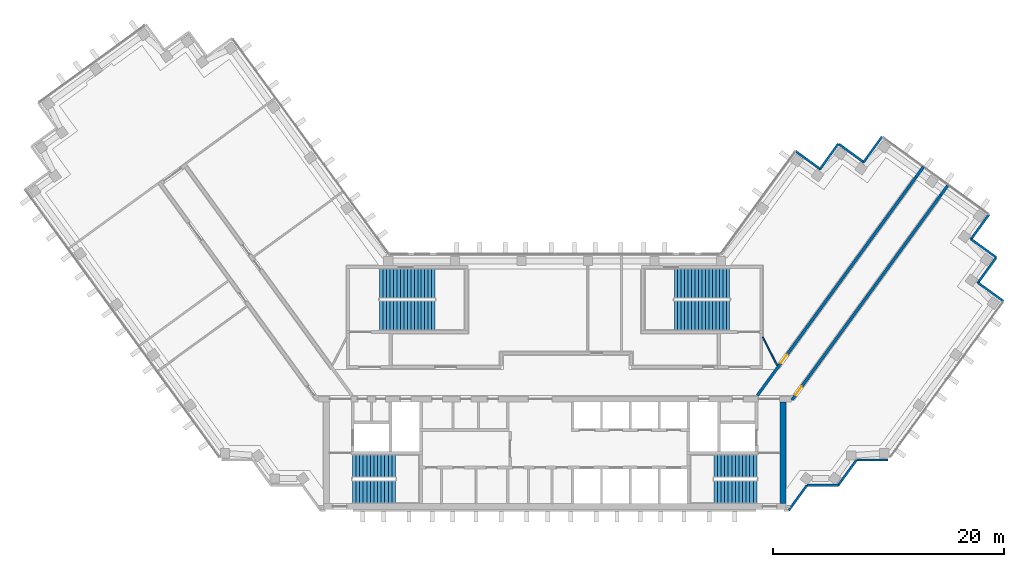
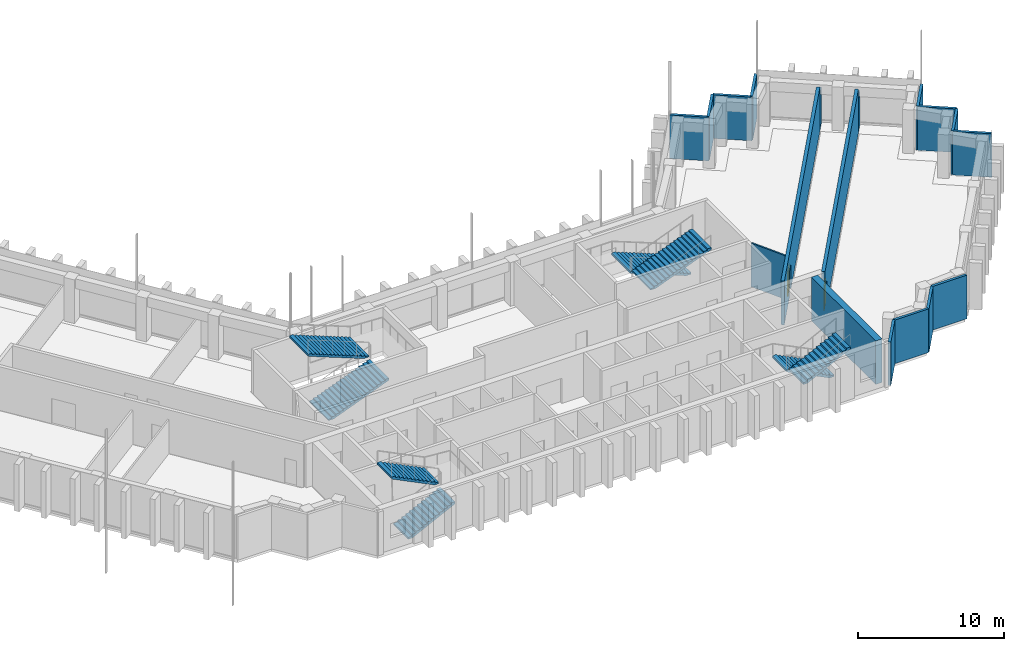
# One storey, part 10 of 12: 18 walls, 8 stair flights, 2 doors, 2 openings, 4 elements without a shape of their own.
"""IFC4 building model written with IfcOpenShell, lengths in metres."""

from ifc_helpers import new_model, si_unit, direction, frame, frame_2d, origin, place, context, subcontext, project, spatial, polyline, rectangle, outline, extrude, material, layer, layer_set, type_object, element, fill, aggregate, save


model = new_model("IFC4")

# Units and contexts
model_context = context("Model", 3, precision=1e-05, world=origin(), true_north=direction((0.0, 1.0)))
body_context = subcontext(model_context, "Body", "Model", "MODEL_VIEW")
ifc_project = project(units=[si_unit("LENGTHUNIT", "METRE"), si_unit("AREAUNIT", "SQUARE_METRE"), si_unit("VOLUMEUNIT", "CUBIC_METRE"), si_unit("PLANEANGLEUNIT", "RADIAN"), si_unit("MASSUNIT", "GRAM", prefix="KILO")], contexts=[model_context])

# Site, building, storey
site_placement = place(None, origin())
site = spatial("IfcSite", under=ifc_project, at=site_placement, CompositionType="ELEMENT")
building_placement = place(site_placement, origin())
building = spatial("IfcBuilding", under=site, at=building_placement, Name="Quipu Civic Tower", CompositionType="ELEMENT")
storey_placement = place(building_placement, frame((0.0, 0.0, 222.0)))
storey = spatial("IfcBuildingStorey", under=building, at=storey_placement, Name="L52", CompositionType="ELEMENT", Elevation=222.0)

# Wall
ifc_material_1 = material(Name="Concrete C70/85", Category="concrete")
ifc_layer_1 = layer(ifc_material_1, 0.5)
ifc_layer_set_1 = layer_set([ifc_layer_1], Name="Concrete C70/85")
wall_type_1 = type_object("IfcWallType", Name="Core wall 500", PredefinedType="SHEAR", material=ifc_layer_set_1)
wall_1_placement = place(storey_placement, frame((19.75, -10.5, 0.0), z_axis=(0.0, 0.0, 1.0), x_axis=(0.0, 1.0, 0.0)))
element("IfcWall", 1, at=wall_1_placement, inside=storey, type_object=wall_type_1, Name="Core wall", PredefinedType="SHEAR", context=body_context, shape_type="SweptSolid", body=[
    extrude(rectangle(XDim=8.800048828125, YDim=0.5, at=frame_2d((4.39990234375, 0.0))), origin(), (0.0, 0.0, 1.0), 3.64990234375),
])

# Wall, opening, door
ifc_material_2 = material(Name="Concrete C50/60", Category="concrete")
ifc_layer_2 = layer(ifc_material_2, 0.25)
ifc_layer_set_2 = layer_set([ifc_layer_2], Name="Concrete C50/60")
wall_type_2 = type_object("IfcWallType", Name="Corridor wall 250 concrete", PredefinedType="SOLIDWALL", material=ifc_layer_set_2)
wall_2_placement = place(storey_placement, frame((17.544921875, -1.124755859375, 0.0), z_axis=(0.0, 0.0, 1.0), x_axis=(0.587787966774, 0.809015022181, 0.0)))
wall_2 = element("IfcWall", 2, at=wall_2_placement, inside=storey, type_object=wall_type_2, Name="Corridor wall C02", PredefinedType="SOLIDWALL", context=body_context, shape_type="SweptSolid", body=[
    extrude(rectangle(XDim=23.344970703125, YDim=0.25, at=frame_2d((11.67236328125, 0.0))), origin(), (0.0, 0.0, 1.0), 3.64990234375),
])
opening_1_placement = place(wall_2_placement, frame((3.44140625, 0.0, 0.0)))
opening_1 = element("IfcOpeningElement", 3, at=opening_1_placement, cuts=wall_2, Name="Opening D001", PredefinedType="OPENING", context=body_context, shape_type="SweptSolid", body=[
    extrude(rectangle(XDim=0.89990234375, YDim=2.10009765625, at=frame_2d((0.449951171875, 1.050048828125))), frame((0.0, 0.135009765625, 0.0), z_axis=(0.0, -1.0, 0.0), x_axis=(1.0, 0.0, 0.0)), (0.0, 0.0, 1.0), 0.27001953125),
])
ifc_material_3 = material(Name="Fire rated timber door set with metal frame", Category="wood")
door_type = type_object("IfcDoorType", Name="Single door 900 x 2100 FD60", OperationType="NOTDEFINED", PredefinedType="DOOR", material=ifc_material_3)
door_1_placement = place(opening_1_placement, origin())
door_1 = element("IfcDoor", 4, at=door_1_placement, inside=storey, type_object=door_type, Name="Door D001", OperationType="SINGLE_SWING_LEFT", OverallHeight=2.10009765625, OverallWidth=0.89990234375, PredefinedType="DOOR", context=body_context, shape_type="SweptSolid", body=[
    extrude(rectangle(XDim=0.89990234375, YDim=2.10009765625, at=frame_2d((0.449951171875, 1.050048828125))), frame((0.0, 0.02490234375, 0.0), z_axis=(0.0, -1.0, 0.0), x_axis=(1.0, 0.0, 0.0)), (0.0, 0.0, 1.0), 0.050048828125),
])
fill(opening_1, door_1)

wall_3_placement = place(storey_placement, frame((33.41015625, 16.203125, 0.0), z_axis=(0.0, 0.0, 1.0), x_axis=(-0.587786711753, -0.809015934013, 0.0)))
wall_3 = element("IfcWall", 5, at=wall_3_placement, inside=storey, type_object=wall_type_2, Name="Corridor wall C03", PredefinedType="SOLIDWALL", context=body_context, shape_type="SweptSolid", body=[
    extrude(rectangle(XDim=21.911376953125, YDim=0.25, at=frame_2d((10.95556640625, 0.0))), origin(), (0.0, 0.0, 1.0), 3.64990234375),
])
opening_2_placement = place(wall_3_placement, frame((20.478515625, 0.0, 0.0)))
opening_2 = element("IfcOpeningElement", 6, at=opening_2_placement, cuts=wall_3, Name="Opening D002", PredefinedType="OPENING", context=body_context, shape_type="SweptSolid", body=[
    extrude(rectangle(XDim=0.89990234375, YDim=2.10009765625, at=frame_2d((0.449951171875, 1.050048828125))), frame((0.0, 0.135009765625, 0.0), z_axis=(0.0, -1.0, 0.0), x_axis=(1.0, 0.0, 0.0)), (0.0, 0.0, 1.0), 0.27001953125),
])
door_2_placement = place(opening_2_placement, origin())
door_2 = element("IfcDoor", 7, at=door_2_placement, inside=storey, type_object=door_type, Name="Door D002", OperationType="SINGLE_SWING_RIGHT", OverallHeight=2.10009765625, OverallWidth=0.89990234375, PredefinedType="DOOR", context=body_context, shape_type="SweptSolid", body=[
    extrude(rectangle(XDim=0.89990234375, YDim=2.10009765625, at=frame_2d((0.449951171875, 1.050048828125))), frame((0.0, 0.02490234375, 0.0), z_axis=(0.0, -1.0, 0.0), x_axis=(1.0, 0.0, 0.0)), (0.0, 0.0, 1.0), 0.050048828125),
])
fill(opening_2, door_2)

# Walls
wall_4_placement = place(storey_placement, frame((31.266845703125, 17.76171875, 0.0), z_axis=(0.0, 0.0, 1.0), x_axis=(0.587778942742, 0.809021578494, 0.0)))
element("IfcWall", 8, at=wall_4_placement, inside=storey, type_object=wall_type_2, Name="Corridor wall C02", PredefinedType="SOLIDWALL", context=body_context, shape_type="SweptSolid", body=[
    extrude(rectangle(XDim=1.109130859375, YDim=0.25, at=frame_2d((0.5546875, 0.0))), origin(), (0.0, 0.0, 1.0), 2.85009765625),
])
wall_5_placement = place(storey_placement, frame((33.41015625, 16.203125, 0.0), z_axis=(0.0, 0.0, 1.0), x_axis=(0.587696850957, 0.809081214326, 0.0)))
element("IfcWall", 9, at=wall_5_placement, inside=storey, type_object=wall_type_2, Name="Corridor wall C03", PredefinedType="SOLIDWALL", context=body_context, shape_type="SweptSolid", body=[
    extrude(rectangle(XDim=1.009033203125, YDim=0.25, at=frame_2d((0.50439453125, 0.0))), origin(), (0.0, 0.0, 1.0), 2.85009765625),
])
ifc_material_4 = material(Name="Gypsum plasterboard on light gauge framing")
ifc_layer_3 = layer(ifc_material_4, 0.1201171875)
ifc_layer_set_3 = layer_set([ifc_layer_3], Name="Gypsum plasterboard on light gauge framing")
wall_type_3 = type_object("IfcWallType", Name="Partition 120 plasterboard", PredefinedType="PARTITIONING", material=ifc_layer_set_3)
wall_6_placement = place(storey_placement, frame((18.0, 3.925048828125, 0.0), z_axis=(0.0, 0.0, 1.0), x_axis=(0.453950796792, -0.891026752736, 0.0)))
element("IfcWall", 10, at=wall_6_placement, inside=storey, type_object=wall_type_3, Name="Partition P08", PredefinedType="PARTITIONING", context=body_context, shape_type="SweptSolid", body=[
    extrude(rectangle(XDim=2.77783203125, YDim=0.1201171875, at=frame_2d((1.388916015625, 0.0))), origin(), (0.0, 0.0, 1.0), 3.64990234375),
])
ifc_material_5 = material(Name="Precast concrete C40/50", Category="concrete")
wall_type_4 = type_object("IfcWallType", Name="Precast cladding wall", PredefinedType="SOLIDWALL", material=ifc_material_5)
for number, where, z_axis, x_axis, name in (
    (11, (38.82861328125, 7.031005859375, 0.0), (0.0, 0.0, 1.0), (-0.808990163075, 0.587822180636, 0.0), "Precast cladding wall L52 P01"),
    (12, (36.60205078125, 8.580322265625, 0.0), (0.0, 0.0, 1.0), (0.587822180636, 0.808990163075, 0.0), "Precast cladding wall L52 P02"),
    (13, (38.231201171875, 10.80224609375, 0.0), (0.0, 0.0, 1.0), (-0.808958916286, 0.58786518162, 0.0), "Precast cladding wall L52 P03"),
):
    element("IfcWall", number, at=place(storey_placement, frame(where, z_axis=z_axis, x_axis=x_axis)), inside=storey, type_object=wall_type_4, Name=name, PredefinedType="SOLIDWALL", context=body_context, shape_type="SweptSolid", body=[
        extrude(rectangle(XDim=2.699951171875, YDim=0.199951171875, at=frame_2d((1.35009765625, 0.0))), origin(), (0.0, 0.0, 1.0), 3.64990234375),
    ])
wall_7_placement = place(storey_placement, frame((20.253173828125, -11.083251953125, 0.0), z_axis=(0.0, 0.0, 1.0), x_axis=(0.587766567315, 0.809030569476, 0.0)))
element("IfcWall", 14, at=wall_7_placement, inside=storey, type_object=wall_type_4, Name="Precast cladding wall L52 P23", PredefinedType="SOLIDWALL", context=body_context, shape_type="SweptSolid", body=[
    extrude(rectangle(XDim=2.687744140625, YDim=0.199951171875, at=frame_2d((1.34375, 0.0))), origin(), (0.0, 0.0, 1.0), 3.64990234375),
])
for number, where, z_axis, x_axis, name in (
    (15, (36.0048828125, 12.3515625, 0.0), (0.0, 0.0, 1.0), (0.587762999008, 0.809033161865, 0.0), "Precast cladding wall L52 P24"),
    (16, (28.333984375, 21.26220703125, 0.0), (0.0, 0.0, 1.0), (-0.587762999008, -0.809033161865, 0.0), "Precast cladding wall L52 P26"),
):
    element("IfcWall", number, at=place(storey_placement, frame(where, z_axis=z_axis, x_axis=x_axis)), inside=storey, type_object=wall_type_4, Name=name, PredefinedType="SOLIDWALL", context=body_context, shape_type="SweptSolid", body=[
        extrude(rectangle(XDim=2.699951171875, YDim=0.199951171875, at=frame_2d((1.35009765625, 0.0))), origin(), (0.0, 0.0, 1.0), 3.64990234375),
    ])
wall_8_placement = place(storey_placement, frame((26.78466796875, 19.03564453125, 0.0), z_axis=(0.0, 0.0, 1.0), x_axis=(-0.809064397168, 0.587720002413, 0.0)))
element("IfcWall", 17, at=wall_8_placement, inside=storey, type_object=wall_type_4, Name="Precast cladding wall L52 P27", PredefinedType="SOLIDWALL", context=body_context, shape_type="SweptSolid", body=[
    extrude(rectangle(XDim=2.7001953125, YDim=0.199951171875, at=frame_2d((1.35009765625, 0.0))), origin(), (0.0, 0.0, 1.0), 3.64990234375),
])
for number, where, z_axis, x_axis, name in (
    (18, (24.562744140625, 20.664794921875, 0.0), (0.0, 0.0, 1.0), (-0.587822180636, -0.808990163075, 0.0), "Precast cladding wall L52 P28"),
    (19, (23.01318359375, 18.438232421875, 0.0), (0.0, 0.0, 1.0), (-0.808990163075, 0.587822180636, 0.0), "Precast cladding wall L52 P29"),
    (20, (21.8427734375, -8.90380859375, 0.0), (0.0, 0.0, 1.0), (1.0, 0.0, 0.0), "Precast cladding wall L52 1"),
):
    element("IfcWall", number, at=place(storey_placement, frame(where, z_axis=z_axis, x_axis=x_axis)), inside=storey, type_object=wall_type_4, Name=name, PredefinedType="SOLIDWALL", context=body_context, shape_type="SweptSolid", body=[
        extrude(rectangle(XDim=2.699951171875, YDim=0.199951171875, at=frame_2d((1.35009765625, 0.0))), origin(), (0.0, 0.0, 1.0), 3.64990234375),
    ])
wall_9_placement = place(storey_placement, frame((24.533203125, -8.90869140625, 0.0), z_axis=(0.0, 0.0, 1.0), x_axis=(0.587720002413, 0.809064397168, 0.0)))
element("IfcWall", 21, at=wall_9_placement, inside=storey, type_object=wall_type_4, Name="Precast cladding wall L52 2", PredefinedType="SOLIDWALL", context=body_context, shape_type="SweptSolid", body=[
    extrude(rectangle(XDim=2.7001953125, YDim=0.199951171875, at=frame_2d((1.35009765625, 0.0))), origin(), (0.0, 0.0, 1.0), 3.64990234375),
])
wall_10_placement = place(storey_placement, frame((26.1298828125, -6.71923828125, 0.0), z_axis=(0.0, 0.0, 1.0), x_axis=(1.0, 0.0, 0.0)))
element("IfcWall", 22, at=wall_10_placement, inside=storey, type_object=wall_type_4, Name="Precast cladding wall L52 3", PredefinedType="SOLIDWALL", context=body_context, shape_type="SweptSolid", body=[
    extrude(rectangle(XDim=2.699951171875, YDim=0.199951171875, at=frame_2d((1.35009765625, 0.0))), origin(), (0.0, 0.0, 1.0), 3.64990234375),
])

# Stair, stair flights
ifc_material_6 = material(Name="Concrete C40/50", Category="concrete")
stair_type_1 = type_object("IfcStairType", Name="Half turn stair 2000", PredefinedType="HALF_TURN_STAIR", material=ifc_material_6)
stair_1_placement = place(storey_placement, origin())
stair_1 = element("IfcStair", 23, at=stair_1_placement, inside=storey, type_object=stair_type_1, Name="Exit stair 1", PredefinedType="HALF_TURN_STAIR")
ifc_material_7 = material(Name="Concrete C40/50", Category="concrete")
stair_flight_type_1 = type_object("IfcStairFlightType", Name="Stair flight 2000", PredefinedType="STRAIGHT", material=ifc_material_7)
stair_flight_1_placement = place(storey_placement, frame((-17.5, -9.5, 0.0), z_axis=(0.0, 0.0, 1.0), x_axis=(1.0, 0.0, 0.0)))
stair_flight_1 = element("IfcStairFlight", 24, at=stair_flight_1_placement, type_object=stair_flight_type_1, Name="ST-1 flight 1", NumberOfRisers=13, NumberOfTreads=12, PredefinedType="STRAIGHT", RiserHeight=0.153846154, TreadLength=0.31, context=body_context, shape_type="SweptSolid", body=[
    extrude(outline(polyline([(0.0, 0.0), (0.0, 0.15380859375), (0.31005859375, 0.15380859375), (0.31005859375, 0.3076171875), (0.6201171875, 0.3076171875), (0.6201171875, 0.46142578125), (0.929931640625, 0.46142578125), (0.929931640625, 0.615478515625), (1.239990234375, 0.615478515625), (1.239990234375, 0.769287109375), (1.550048828125, 0.769287109375), (1.550048828125, 0.923095703125), (1.860107421875, 0.923095703125), (1.860107421875, 1.076904296875), (2.169921875, 1.076904296875), (2.169921875, 1.230712890625), (2.47998046875, 1.230712890625), (2.47998046875, 1.384521484375), (2.7900390625, 1.384521484375), (2.7900390625, 1.53857421875), (3.10009765625, 1.53857421875), (3.10009765625, 1.6923828125), (3.409912109375, 1.6923828125), (3.409912109375, 1.84619140625), (3.719970703125, 1.84619140625), (3.719970703125, 2.0), (3.719970703125, 1.6787109375), (0.337158203125, 0.0), (0.0, 0.0)])), frame((0.0, 1.0, 0.0), z_axis=(0.0, -1.0, 0.0), x_axis=(1.0, 0.0, 0.0)), (0.0, 0.0, 1.0), 2.0),
])
stair_flight_2_placement = place(storey_placement, frame((-13.780029296875, -7.25, 2.0), z_axis=(0.0, 0.0, 1.0), x_axis=(-1.0, 0.0, 0.0)))
stair_flight_2 = element("IfcStairFlight", 25, at=stair_flight_2_placement, type_object=stair_flight_type_1, Name="ST-1 flight 2", NumberOfRisers=13, NumberOfTreads=12, PredefinedType="STRAIGHT", RiserHeight=0.153846154, TreadLength=0.31, context=body_context, shape_type="SweptSolid", body=[
    extrude(outline(polyline([(0.0, 0.0), (0.0, 0.15380859375), (0.31005859375, 0.15380859375), (0.31005859375, 0.3076171875), (0.6201171875, 0.3076171875), (0.6201171875, 0.46142578125), (0.929931640625, 0.46142578125), (0.929931640625, 0.615478515625), (1.239990234375, 0.615478515625), (1.239990234375, 0.769287109375), (1.550048828125, 0.769287109375), (1.550048828125, 0.923095703125), (1.860107421875, 0.923095703125), (1.860107421875, 1.076904296875), (2.169921875, 1.076904296875), (2.169921875, 1.230712890625), (2.47998046875, 1.230712890625), (2.47998046875, 1.384521484375), (2.7900390625, 1.384521484375), (2.7900390625, 1.53857421875), (3.10009765625, 1.53857421875), (3.10009765625, 1.6923828125), (3.409912109375, 1.6923828125), (3.409912109375, 1.84619140625), (3.719970703125, 1.84619140625), (3.719970703125, 2.0), (3.719970703125, 1.6787109375), (0.337158203125, 0.0), (0.0, 0.0)])), frame((0.0, 1.0, 0.0), z_axis=(0.0, -1.0, 0.0), x_axis=(1.0, 0.0, 0.0)), (0.0, 0.0, 1.0), 2.0),
])
aggregate(stair_1, [stair_flight_1, stair_flight_2])

stair_2_placement = place(storey_placement, origin())
stair_2 = element("IfcStair", 26, at=stair_2_placement, inside=storey, type_object=stair_type_1, Name="Exit stair 2", PredefinedType="HALF_TURN_STAIR")
stair_flight_3_placement = place(storey_placement, frame((17.5, -7.25, 0.0), z_axis=(0.0, 0.0, 1.0), x_axis=(-1.0, 0.0, 0.0)))
stair_flight_3 = element("IfcStairFlight", 27, at=stair_flight_3_placement, type_object=stair_flight_type_1, Name="ST-2 flight 1", NumberOfRisers=13, NumberOfTreads=12, PredefinedType="STRAIGHT", RiserHeight=0.153846154, TreadLength=0.31, context=body_context, shape_type="SweptSolid", body=[
    extrude(outline(polyline([(0.0, 0.0), (0.0, 0.15380859375), (0.31005859375, 0.15380859375), (0.31005859375, 0.3076171875), (0.6201171875, 0.3076171875), (0.6201171875, 0.46142578125), (0.929931640625, 0.46142578125), (0.929931640625, 0.615478515625), (1.239990234375, 0.615478515625), (1.239990234375, 0.769287109375), (1.550048828125, 0.769287109375), (1.550048828125, 0.923095703125), (1.860107421875, 0.923095703125), (1.860107421875, 1.076904296875), (2.169921875, 1.076904296875), (2.169921875, 1.230712890625), (2.47998046875, 1.230712890625), (2.47998046875, 1.384521484375), (2.7900390625, 1.384521484375), (2.7900390625, 1.53857421875), (3.10009765625, 1.53857421875), (3.10009765625, 1.6923828125), (3.409912109375, 1.6923828125), (3.409912109375, 1.84619140625), (3.719970703125, 1.84619140625), (3.719970703125, 2.0), (3.719970703125, 1.6787109375), (0.337158203125, 0.0), (0.0, 0.0)])), frame((0.0, 1.0, 0.0), z_axis=(0.0, -1.0, 0.0), x_axis=(1.0, 0.0, 0.0)), (0.0, 0.0, 1.0), 2.0),
])
stair_flight_4_placement = place(storey_placement, frame((13.780029296875, -9.5, 2.0), z_axis=(0.0, 0.0, 1.0), x_axis=(1.0, 0.0, 0.0)))
stair_flight_4 = element("IfcStairFlight", 28, at=stair_flight_4_placement, type_object=stair_flight_type_1, Name="ST-2 flight 2", NumberOfRisers=13, NumberOfTreads=12, PredefinedType="STRAIGHT", RiserHeight=0.153846154, TreadLength=0.31, context=body_context, shape_type="SweptSolid", body=[
    extrude(outline(polyline([(0.0, 0.0), (0.0, 0.15380859375), (0.31005859375, 0.15380859375), (0.31005859375, 0.3076171875), (0.6201171875, 0.3076171875), (0.6201171875, 0.46142578125), (0.929931640625, 0.46142578125), (0.929931640625, 0.615478515625), (1.239990234375, 0.615478515625), (1.239990234375, 0.769287109375), (1.550048828125, 0.769287109375), (1.550048828125, 0.923095703125), (1.860107421875, 0.923095703125), (1.860107421875, 1.076904296875), (2.169921875, 1.076904296875), (2.169921875, 1.230712890625), (2.47998046875, 1.230712890625), (2.47998046875, 1.384521484375), (2.7900390625, 1.384521484375), (2.7900390625, 1.53857421875), (3.10009765625, 1.53857421875), (3.10009765625, 1.6923828125), (3.409912109375, 1.6923828125), (3.409912109375, 1.84619140625), (3.719970703125, 1.84619140625), (3.719970703125, 2.0), (3.719970703125, 1.6787109375), (0.337158203125, 0.0), (0.0, 0.0)])), frame((0.0, 1.0, 0.0), z_axis=(0.0, -1.0, 0.0), x_axis=(1.0, 0.0, 0.0)), (0.0, 0.0, 1.0), 2.0),
])
aggregate(stair_2, [stair_flight_3, stair_flight_4])

ifc_material_8 = material(Name="Concrete C40/50", Category="concrete")
stair_type_2 = type_object("IfcStairType", Name="Half turn stair 2600", PredefinedType="HALF_TURN_STAIR", material=ifc_material_8)
stair_3_placement = place(storey_placement, origin())
stair_3 = element("IfcStair", 29, at=stair_3_placement, inside=storey, type_object=stair_type_2, Name="Exit stair 3", PredefinedType="HALF_TURN_STAIR")
ifc_material_9 = material(Name="Concrete C40/50", Category="concrete")
stair_flight_type_2 = type_object("IfcStairFlightType", Name="Stair flight 2600", PredefinedType="STRAIGHT", material=ifc_material_9)
stair_flight_5_placement = place(storey_placement, frame((-15.14990234375, 5.800048828125, 0.0), z_axis=(0.0, 0.0, 1.0), x_axis=(1.0, 0.0, 0.0)))
stair_flight_5 = element("IfcStairFlight", 30, at=stair_flight_5_placement, type_object=stair_flight_type_2, Name="ST-3 flight 1", NumberOfRisers=17, NumberOfTreads=16, PredefinedType="STRAIGHT", RiserHeight=0.117647059, TreadLength=0.3, context=body_context, shape_type="SweptSolid", body=[
    extrude(outline(polyline([(0.0, 0.0), (0.0, 0.11767578125), (0.300048828125, 0.11767578125), (0.300048828125, 0.2353515625), (0.60009765625, 0.2353515625), (0.60009765625, 0.35302734375), (0.89990234375, 0.35302734375), (0.89990234375, 0.470703125), (1.199951171875, 0.470703125), (1.199951171875, 0.588134765625), (1.5, 0.588134765625), (1.5, 0.705810546875), (1.800048828125, 0.705810546875), (1.800048828125, 0.823486328125), (2.10009765625, 0.823486328125), (2.10009765625, 0.941162109375), (2.39990234375, 0.941162109375), (2.39990234375, 1.058837890625), (2.699951171875, 1.058837890625), (2.699951171875, 1.176513671875), (3.0, 1.176513671875), (3.0, 1.294189453125), (3.300048828125, 1.294189453125), (3.300048828125, 1.411865234375), (3.60009765625, 1.411865234375), (3.60009765625, 1.529296875), (3.89990234375, 1.529296875), (3.89990234375, 1.64697265625), (4.199951171875, 1.64697265625), (4.199951171875, 1.7646484375), (4.5, 1.7646484375), (4.5, 1.88232421875), (4.800048828125, 1.88232421875), (4.800048828125, 2.0), (4.800048828125, 1.721435546875), (0.41064453125, 0.0), (0.0, 0.0)])), frame((0.0, 1.300048828125, 0.0), z_axis=(0.0, -1.0, 0.0), x_axis=(1.0, 0.0, 0.0)), (0.0, 0.0, 1.0), 2.60009765625),
])
stair_flight_6_placement = place(storey_placement, frame((-10.35009765625, 8.550048828125, 2.0), z_axis=(0.0, 0.0, 1.0), x_axis=(-1.0, 0.0, 0.0)))
stair_flight_6 = element("IfcStairFlight", 31, at=stair_flight_6_placement, type_object=stair_flight_type_2, Name="ST-3 flight 2", NumberOfRisers=17, NumberOfTreads=16, PredefinedType="STRAIGHT", RiserHeight=0.117647059, TreadLength=0.3, context=body_context, shape_type="SweptSolid", body=[
    extrude(outline(polyline([(0.0, 0.0), (0.0, 0.11767578125), (0.300048828125, 0.11767578125), (0.300048828125, 0.2353515625), (0.60009765625, 0.2353515625), (0.60009765625, 0.35302734375), (0.89990234375, 0.35302734375), (0.89990234375, 0.470703125), (1.199951171875, 0.470703125), (1.199951171875, 0.588134765625), (1.5, 0.588134765625), (1.5, 0.705810546875), (1.800048828125, 0.705810546875), (1.800048828125, 0.823486328125), (2.10009765625, 0.823486328125), (2.10009765625, 0.941162109375), (2.39990234375, 0.941162109375), (2.39990234375, 1.058837890625), (2.699951171875, 1.058837890625), (2.699951171875, 1.176513671875), (3.0, 1.176513671875), (3.0, 1.294189453125), (3.300048828125, 1.294189453125), (3.300048828125, 1.411865234375), (3.60009765625, 1.411865234375), (3.60009765625, 1.529296875), (3.89990234375, 1.529296875), (3.89990234375, 1.64697265625), (4.199951171875, 1.64697265625), (4.199951171875, 1.7646484375), (4.5, 1.7646484375), (4.5, 1.88232421875), (4.800048828125, 1.88232421875), (4.800048828125, 2.0), (4.800048828125, 1.721435546875), (0.41064453125, 0.0), (0.0, 0.0)])), frame((0.0, 1.300048828125, 0.0), z_axis=(0.0, -1.0, 0.0), x_axis=(1.0, 0.0, 0.0)), (0.0, 0.0, 1.0), 2.60009765625),
])
aggregate(stair_3, [stair_flight_5, stair_flight_6])

stair_4_placement = place(storey_placement, origin())
stair_4 = element("IfcStair", 32, at=stair_4_placement, inside=storey, type_object=stair_type_2, Name="Exit stair 4", PredefinedType="HALF_TURN_STAIR")
stair_flight_7_placement = place(storey_placement, frame((15.14990234375, 8.550048828125, 0.0), z_axis=(0.0, 0.0, 1.0), x_axis=(-1.0, 0.0, 0.0)))
stair_flight_7 = element("IfcStairFlight", 33, at=stair_flight_7_placement, type_object=stair_flight_type_2, Name="ST-4 flight 1", NumberOfRisers=17, NumberOfTreads=16, PredefinedType="STRAIGHT", RiserHeight=0.117647059, TreadLength=0.3, context=body_context, shape_type="SweptSolid", body=[
    extrude(outline(polyline([(0.0, 0.0), (0.0, 0.11767578125), (0.300048828125, 0.11767578125), (0.300048828125, 0.2353515625), (0.60009765625, 0.2353515625), (0.60009765625, 0.35302734375), (0.89990234375, 0.35302734375), (0.89990234375, 0.470703125), (1.199951171875, 0.470703125), (1.199951171875, 0.588134765625), (1.5, 0.588134765625), (1.5, 0.705810546875), (1.800048828125, 0.705810546875), (1.800048828125, 0.823486328125), (2.10009765625, 0.823486328125), (2.10009765625, 0.941162109375), (2.39990234375, 0.941162109375), (2.39990234375, 1.058837890625), (2.699951171875, 1.058837890625), (2.699951171875, 1.176513671875), (3.0, 1.176513671875), (3.0, 1.294189453125), (3.300048828125, 1.294189453125), (3.300048828125, 1.411865234375), (3.60009765625, 1.411865234375), (3.60009765625, 1.529296875), (3.89990234375, 1.529296875), (3.89990234375, 1.64697265625), (4.199951171875, 1.64697265625), (4.199951171875, 1.7646484375), (4.5, 1.7646484375), (4.5, 1.88232421875), (4.800048828125, 1.88232421875), (4.800048828125, 2.0), (4.800048828125, 1.721435546875), (0.41064453125, 0.0), (0.0, 0.0)])), frame((0.0, 1.300048828125, 0.0), z_axis=(0.0, -1.0, 0.0), x_axis=(1.0, 0.0, 0.0)), (0.0, 0.0, 1.0), 2.60009765625),
])
stair_flight_8_placement = place(storey_placement, frame((10.35009765625, 5.800048828125, 2.0), z_axis=(0.0, 0.0, 1.0), x_axis=(1.0, 0.0, 0.0)))
stair_flight_8 = element("IfcStairFlight", 34, at=stair_flight_8_placement, type_object=stair_flight_type_2, Name="ST-4 flight 2", NumberOfRisers=17, NumberOfTreads=16, PredefinedType="STRAIGHT", RiserHeight=0.117647059, TreadLength=0.3, context=body_context, shape_type="SweptSolid", body=[
    extrude(outline(polyline([(0.0, 0.0), (0.0, 0.11767578125), (0.300048828125, 0.11767578125), (0.300048828125, 0.2353515625), (0.60009765625, 0.2353515625), (0.60009765625, 0.35302734375), (0.89990234375, 0.35302734375), (0.89990234375, 0.470703125), (1.199951171875, 0.470703125), (1.199951171875, 0.588134765625), (1.5, 0.588134765625), (1.5, 0.705810546875), (1.800048828125, 0.705810546875), (1.800048828125, 0.823486328125), (2.10009765625, 0.823486328125), (2.10009765625, 0.941162109375), (2.39990234375, 0.941162109375), (2.39990234375, 1.058837890625), (2.699951171875, 1.058837890625), (2.699951171875, 1.176513671875), (3.0, 1.176513671875), (3.0, 1.294189453125), (3.300048828125, 1.294189453125), (3.300048828125, 1.411865234375), (3.60009765625, 1.411865234375), (3.60009765625, 1.529296875), (3.89990234375, 1.529296875), (3.89990234375, 1.64697265625), (4.199951171875, 1.64697265625), (4.199951171875, 1.7646484375), (4.5, 1.7646484375), (4.5, 1.88232421875), (4.800048828125, 1.88232421875), (4.800048828125, 2.0), (4.800048828125, 1.721435546875), (0.41064453125, 0.0), (0.0, 0.0)])), frame((0.0, 1.300048828125, 0.0), z_axis=(0.0, -1.0, 0.0), x_axis=(1.0, 0.0, 0.0)), (0.0, 0.0, 1.0), 2.60009765625),
])
aggregate(stair_4, [stair_flight_7, stair_flight_8])

save(model, "model.ifc")
